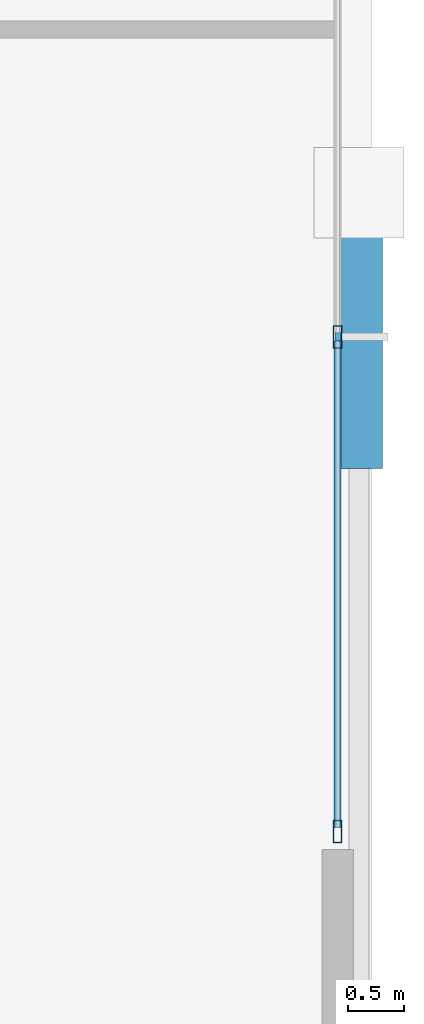
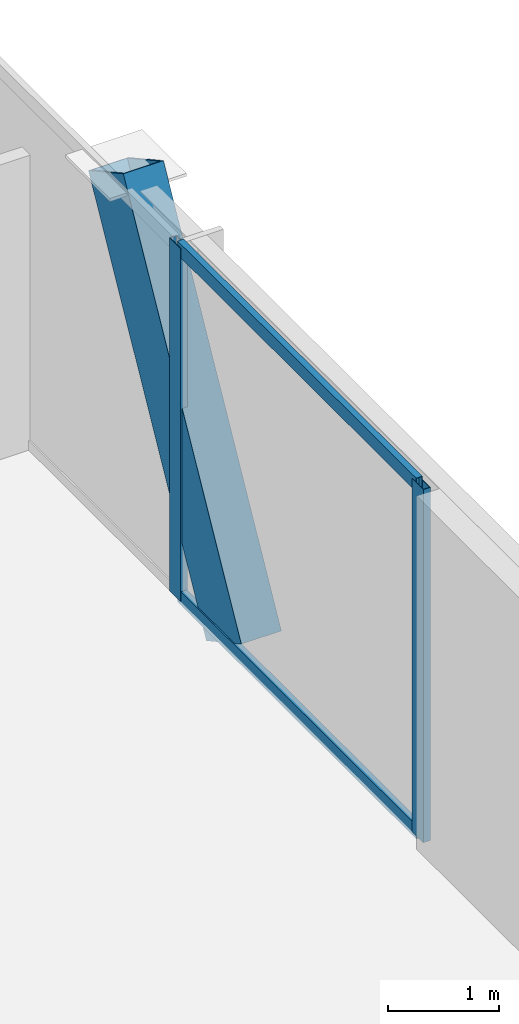
# One storey, part 19 of 46: 5 members, 1 element without a shape of its own.
"""IFC4 building model written with IfcOpenShell, lengths in metres."""

from ifc_helpers import new_model, si_unit, direction, frame, origin, origin_2d, place, context, subcontext, project, spatial, hollow_rectangle, extrude, material, layer, layer_set, material_profile, profile_set, type_object, element, aggregate, save


model = new_model("IFC4")

# Units and contexts
model_context = context("Model", 3, precision=1e-05, world=origin(), true_north=direction((0.0, 1.0)))
body_context = subcontext(model_context, "Body", "Model", "MODEL_VIEW")
ifc_project = project(units=[si_unit("LENGTHUNIT", "METRE"), si_unit("AREAUNIT", "SQUARE_METRE"), si_unit("VOLUMEUNIT", "CUBIC_METRE"), si_unit("PLANEANGLEUNIT", "RADIAN"), si_unit("MASSUNIT", "GRAM", prefix="KILO")], contexts=[model_context])

# Site, building, storey
site_placement = place(None, origin())
site = spatial("IfcSite", under=ifc_project, at=site_placement, CompositionType="ELEMENT")
building_placement = place(site_placement, origin())
building = spatial("IfcBuilding", under=site, at=building_placement, Name="Orvanel Arch Residences", CompositionType="ELEMENT")
storey_placement = place(building_placement, frame((0.0, 0.0, 14.10009765625)))
storey = spatial("IfcBuildingStorey", under=building, at=storey_placement, Name="L03", CompositionType="ELEMENT", Elevation=14.10009765625)

# Member
ifc_material_1 = material(Name="Structural steel AS/NZS 3678 Grade 350", Category="steel")
ifc_material_profile_1 = material_profile(ifc_material_1, hollow_rectangle(XDim=0.419921875, YDim=0.719970703125, WallThickness=0.02490234375, at=origin_2d()), Name="RHS720x420x25")
ifc_profile_set_1 = profile_set([ifc_material_profile_1], Name="Structural steel AS/NZS 3678 Grade 350")
member_type_1 = type_object("IfcMemberType", Name="BR-720RHS-EXT", PredefinedType="BRACE", material=ifc_profile_set_1)
member_1_placement = place(storey_placement, frame((64.639892578125, 22.216064453125, 0.0), z_axis=(0.0, 0.480032945873, 0.877250460745), x_axis=(-1.0, 0.0, 0.0)))
element("IfcMember", 1, at=member_1_placement, inside=storey, type_object=member_type_1, Name="L03 Podium Multi-Storey V-Strut Pair E1 Leg 2", PredefinedType="BRACE", context=body_context, shape_type="SweptSolid", body=[
    extrude(hollow_rectangle(XDim=0.419921875, YDim=0.719970703125, WallThickness=0.02490234375, at=origin_2d()), origin(), (0.0, 0.0, 1.0), 4.445556640625),
])

# Curtain wall, members
ifc_material_2 = material(Name="Bronze-anodised aluminium AA6063-T6", Category="aluminium")
ifc_layer = layer(ifc_material_2, 0.199951171875)
ifc_layer_set = layer_set([ifc_layer], Name="Bronze-anodised aluminium AA6063-T6")
curtain_wall_type = type_object("IfcCurtainWallType", Name="CW1-POD-SYS", PredefinedType="NOTDEFINED", material=ifc_layer_set)
curtain_wall_placement = place(storey_placement, origin())
curtain_wall = element("IfcCurtainWall", 2, at=curtain_wall_placement, inside=storey, type_object=curtain_wall_type, Name="L03 CW1-POD-SYS Unitised Curtain Wall", PredefinedType="NOTDEFINED")
ifc_material_profile_2 = material_profile(ifc_material_2, hollow_rectangle(XDim=0.074951171875, YDim=0.199951171875, WallThickness=0.0048828125, at=origin_2d()), Name="ALU200x75x5")
ifc_profile_set_2 = profile_set([ifc_material_profile_2], Name="Bronze-anodised aluminium AA6063-T6")
member_type_2 = type_object("IfcMemberType", Name="MUL-200x75", PredefinedType="MULLION", material=ifc_profile_set_2)
member_2_placement = place(storey_placement, frame((64.449951171875, 18.677490234375, 0.0), z_axis=(0.0, 0.0, 1.0), x_axis=(-1.0, 0.0, 0.0)))
member_2 = element("IfcMember", 3, at=member_2_placement, type_object=member_type_2, Name="CW-S1 mullion 1", PredefinedType="MULLION", context=body_context, shape_type="SweptSolid", body=[
    extrude(hollow_rectangle(XDim=0.074951171875, YDim=0.199951171875, WallThickness=0.0048828125, at=origin_2d()), origin(), (0.0, 0.0, 1.0), 3.89990234375),
])
member_3_placement = place(storey_placement, frame((64.449951171875, 23.070068359375, 0.0), z_axis=(0.0, 0.0, 1.0), x_axis=(-1.0, 0.0, 0.0)))
member_3 = element("IfcMember", 4, at=member_3_placement, type_object=member_type_2, Name="CW-S1 mullion 2", PredefinedType="MULLION", context=body_context, shape_type="SweptSolid", body=[
    extrude(hollow_rectangle(XDim=0.074951171875, YDim=0.199951171875, WallThickness=0.0048828125, at=origin_2d()), origin(), (0.0, 0.0, 1.0), 3.89990234375),
])
ifc_material_profile_3 = material_profile(ifc_material_2, hollow_rectangle(XDim=0.06494140625, YDim=0.14990234375, WallThickness=0.00390625, at=origin_2d()), Name="ALU150x65x4")
ifc_profile_set_3 = profile_set([ifc_material_profile_3], Name="Bronze-anodised aluminium AA6063-T6")
member_type_3 = type_object("IfcMemberType", Name="TRN-150x65", PredefinedType="USERDEFINED", material=ifc_profile_set_3)
member_4_placement = place(storey_placement, frame((64.449951171875, 18.715087890625, 0.032470703125), z_axis=(0.0, 1.0, 0.0), x_axis=(-1.0, 0.0, 0.0)))
member_4 = element("IfcMember", 5, at=member_4_placement, type_object=member_type_3, Name="CW-S1 transom 1.1", ObjectType="TRANSOM", PredefinedType="USERDEFINED", context=body_context, shape_type="SweptSolid", body=[
    extrude(hollow_rectangle(XDim=0.06494140625, YDim=0.14990234375, WallThickness=0.00390625, at=origin_2d()), origin(), (0.0, 0.0, 1.0), 4.3173828125),
])
member_5_placement = place(storey_placement, frame((64.449951171875, 18.715087890625, 3.867431640625), z_axis=(0.0, 1.0, 0.0), x_axis=(-1.0, 0.0, 0.0)))
member_5 = element("IfcMember", 6, at=member_5_placement, type_object=member_type_3, Name="CW-S1 transom 1.2", ObjectType="TRANSOM", PredefinedType="USERDEFINED", context=body_context, shape_type="SweptSolid", body=[
    extrude(hollow_rectangle(XDim=0.06494140625, YDim=0.14990234375, WallThickness=0.00390625, at=origin_2d()), origin(), (0.0, 0.0, 1.0), 4.3173828125),
])
aggregate(curtain_wall, [member_2, member_3, member_4, member_5])

save(model, "model.ifc")
